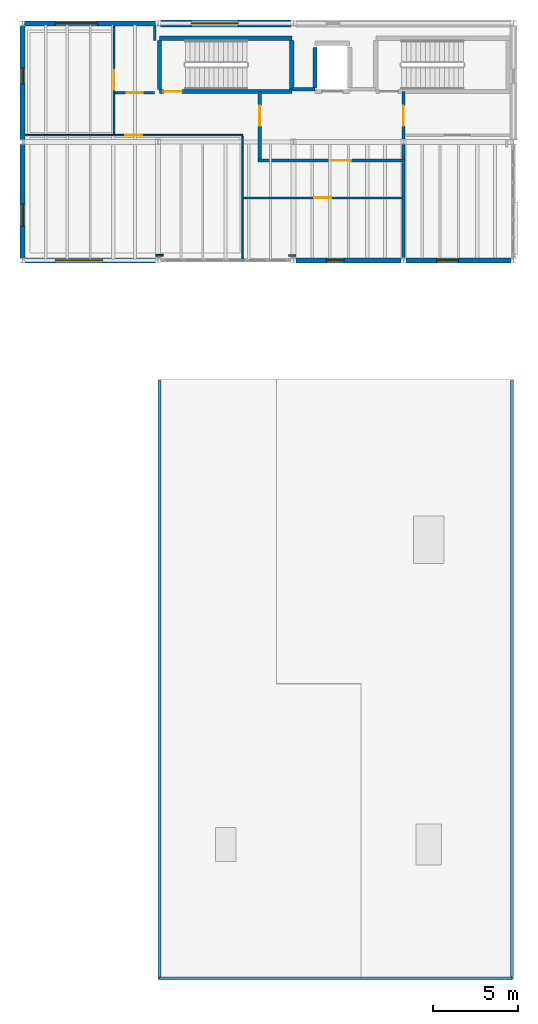
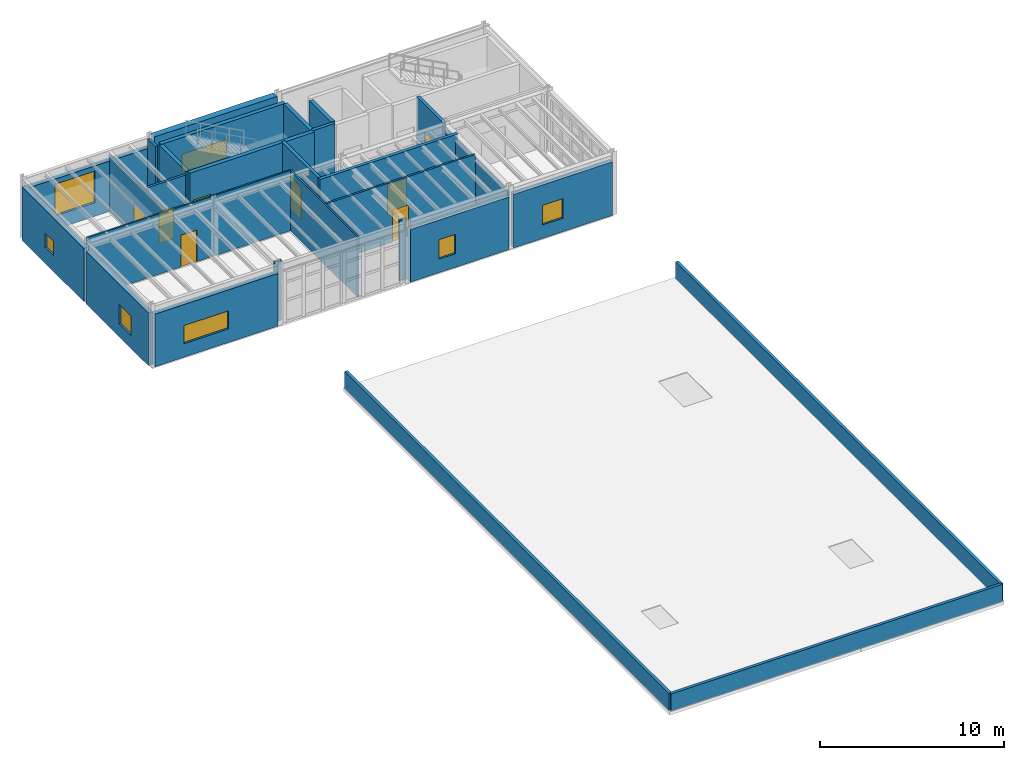
# One storey, part 8 of 11: 29 walls, 8 doors, 7 windows, 15 openings.
"""IFC4 building model written with IfcOpenShell, lengths in metres."""

from ifc_helpers import new_model, si_unit, direction, frame, frame_2d, origin, place, context, subcontext, project, spatial, rectangle, extrude, material, layer, layer_set, type_object, element, fill, save


model = new_model("IFC4")

# Units and contexts
model_context = context("Model", 3, precision=1e-05, world=origin(), true_north=direction((0.0, 1.0)))
body_context = subcontext(model_context, "Body", "Model", "MODEL_VIEW")
ifc_project = project(units=[si_unit("LENGTHUNIT", "METRE"), si_unit("AREAUNIT", "SQUARE_METRE"), si_unit("VOLUMEUNIT", "CUBIC_METRE"), si_unit("PLANEANGLEUNIT", "RADIAN"), si_unit("MASSUNIT", "GRAM", prefix="KILO"), si_unit("THERMODYNAMICTEMPERATUREUNIT", "KELVIN"), si_unit("POWERUNIT", "WATT")], contexts=[model_context])

# Site, building, storey
site_placement = place(None, origin())
site = spatial("IfcSite", under=ifc_project, at=site_placement, CompositionType="ELEMENT")
building_placement = place(site_placement, origin())
building = spatial("IfcBuilding", under=site, at=building_placement, Name="Zhenchuan Central Fire Station", CompositionType="ELEMENT")
storey_placement = place(building_placement, frame((0.0, 0.0, 18.449951171875)))
storey = spatial("IfcBuildingStorey", under=building, at=storey_placement, Name="L05", CompositionType="ELEMENT", Elevation=18.449951171875)

# Wall, opening, window
ifc_material_1 = material(Name="Sintered clay brick masonry MU15", Category="masonry")
ifc_layer_1 = layer(ifc_material_1, 0.300048828125, Name="Sintered clay brick masonry MU15", Category="masonry")
ifc_layer_set_1 = layer_set([ifc_layer_1], Name="Sintered clay brick masonry MU15")
wall_type_1 = type_object("IfcWallType", Name="EW-BRK300", PredefinedType="SOLIDWALL", material=ifc_layer_set_1)
wall_1_placement = place(storey_placement, frame((132.125, 56.5, 0.0), z_axis=(0.0, 0.0, 1.0), x_axis=(1.0, 0.0, 0.0)))
wall_1 = element("IfcWall", 1, at=wall_1_placement, inside=storey, type_object=wall_type_1, Name="EW-L05-V6N-0", PredefinedType="SOLIDWALL", context=body_context, shape_type="SweptSolid", body=[
    extrude(rectangle(XDim=7.72509765625, YDim=0.300048828125, at=frame_2d((3.862548828125, 0.0))), origin(), (0.0, 0.0, 1.0), 3.343994140625),
])
opening_1_placement = place(wall_1_placement, frame((1.800048828125, 0.0, 0.89990234375)))
opening_1 = element("IfcOpeningElement", 2, at=opening_1_placement, cuts=wall_1, Name="Opening W-37", PredefinedType="OPENING", context=body_context, shape_type="SweptSolid", body=[
    extrude(rectangle(XDim=2.5, YDim=2.10009765625, at=frame_2d((1.25, 1.050048828125))), frame((0.0, 0.159912109375, 0.0), z_axis=(0.0, -1.0, 0.0), x_axis=(1.0, 0.0, 0.0)), (0.0, 0.0, 1.0), 0.320068359375),
])
ifc_material_2 = material(Name="Laminated low-E double glazing in aluminium frame", Category="aluminium")
window_type_1 = type_object("IfcWindowType", Name="WN-37", PartitioningType="SINGLE_PANEL", PredefinedType="WINDOW", material=ifc_material_2)
window_1_placement = place(opening_1_placement, origin())
window_1 = element("IfcWindow", 3, at=window_1_placement, inside=storey, type_object=window_type_1, Name="Exterior Window 0129", OverallHeight=2.10009765625, OverallWidth=2.5, PartitioningType="SINGLE_PANEL", PredefinedType="WINDOW", context=body_context, shape_type="SweptSolid", body=[
    extrude(rectangle(XDim=2.5, YDim=2.10009765625, at=frame_2d((1.25, 1.050048828125))), frame((0.0, 0.030029296875, 0.0), z_axis=(0.0, -1.0, 0.0), x_axis=(1.0, 0.0, 0.0)), (0.0, 0.0, 1.0), 0.06005859375),
])
fill(opening_1, window_1)

wall_2_placement = place(storey_placement, frame((132.0, 42.625, 0.0), z_axis=(0.0, 0.0, 1.0), x_axis=(0.0, 1.0, 0.0)))
wall_2 = element("IfcWall", 4, at=wall_2_placement, inside=storey, type_object=wall_type_1, Name="EW-L05-V6W-0", PredefinedType="SOLIDWALL", context=body_context, shape_type="SweptSolid", body=[
    extrude(rectangle(XDim=6.75, YDim=0.300048828125, at=frame_2d((3.375, 0.0))), origin(), (0.0, 0.0, 1.0), 3.494140625),
])
opening_2_placement = place(wall_2_placement, frame((1.89990234375, 0.0, 0.85009765625)))
opening_2 = element("IfcOpeningElement", 5, at=opening_2_placement, cuts=wall_2, Name="Opening W-41", PredefinedType="OPENING", context=body_context, shape_type="SweptSolid", body=[
    extrude(rectangle(XDim=1.300048828125, YDim=1.300048828125, at=frame_2d((0.64990234375, 0.64990234375))), frame((0.0, 0.159912109375, 0.0), z_axis=(0.0, -1.0, 0.0), x_axis=(1.0, 0.0, 0.0)), (0.0, 0.0, 1.0), 0.320068359375),
])
window_type_2 = type_object("IfcWindowType", Name="WN-41", PartitioningType="SINGLE_PANEL", PredefinedType="WINDOW", material=ifc_material_2)
window_2_placement = place(opening_2_placement, origin())
window_2 = element("IfcWindow", 6, at=window_2_placement, inside=storey, type_object=window_type_2, Name="Exterior Window 0133", OverallHeight=1.300048828125, OverallWidth=1.300048828125, PartitioningType="SINGLE_PANEL", PredefinedType="WINDOW", context=body_context, shape_type="SweptSolid", body=[
    extrude(rectangle(XDim=1.300048828125, YDim=1.300048828125, at=frame_2d((0.64990234375, 0.64990234375))), frame((0.0, 0.030029296875, 0.0), z_axis=(0.0, -1.0, 0.0), x_axis=(1.0, 0.0, 0.0)), (0.0, 0.0, 1.0), 0.06005859375),
])
fill(opening_2, window_2)

wall_3_placement = place(storey_placement, frame((132.0, 49.625, 0.0), z_axis=(0.0, 0.0, 1.0), x_axis=(0.0, 1.0, 0.0)))
wall_3 = element("IfcWall", 7, at=wall_3_placement, inside=storey, type_object=wall_type_1, Name="EW-L05-V6W-1", PredefinedType="SOLIDWALL", context=body_context, shape_type="SweptSolid", body=[
    extrude(rectangle(XDim=6.75, YDim=0.300048828125, at=frame_2d((3.375, 0.0))), origin(), (0.0, 0.0, 1.0), 3.5439453125),
])
opening_3_placement = place(wall_3_placement, frame((3.300048828125, 0.0, 1.050048828125)))
opening_3 = element("IfcOpeningElement", 8, at=opening_3_placement, cuts=wall_3, Name="Opening W-04", PredefinedType="OPENING", context=body_context, shape_type="SweptSolid", body=[
    extrude(rectangle(XDim=0.949951171875, YDim=0.949951171875, at=frame_2d((0.47509765625, 0.47509765625))), frame((0.0, 0.159912109375, 0.0), z_axis=(0.0, -1.0, 0.0), x_axis=(1.0, 0.0, 0.0)), (0.0, 0.0, 1.0), 0.320068359375),
])
window_type_3 = type_object("IfcWindowType", Name="WN-04", PartitioningType="SINGLE_PANEL", PredefinedType="WINDOW", material=ifc_material_2)
window_3_placement = place(opening_3_placement, origin())
window_3 = element("IfcWindow", 9, at=window_3_placement, inside=storey, type_object=window_type_3, Name="Exterior Window 0134", OverallHeight=0.949951171875, OverallWidth=0.949951171875, PartitioningType="SINGLE_PANEL", PredefinedType="WINDOW", context=body_context, shape_type="SweptSolid", body=[
    extrude(rectangle(XDim=0.949951171875, YDim=0.949951171875, at=frame_2d((0.47509765625, 0.47509765625))), frame((0.0, 0.030029296875, 0.0), z_axis=(0.0, -1.0, 0.0), x_axis=(1.0, 0.0, 0.0)), (0.0, 0.0, 1.0), 0.06005859375),
])
fill(opening_3, window_3)

wall_4_placement = place(storey_placement, frame((132.125, 42.5, 0.0), z_axis=(0.0, 0.0, 1.0), x_axis=(1.0, 0.0, 0.0)))
wall_4 = element("IfcWall", 10, at=wall_4_placement, inside=storey, type_object=wall_type_1, Name="EW-L05-V6S-0", PredefinedType="SOLIDWALL", context=body_context, shape_type="SweptSolid", body=[
    extrude(rectangle(XDim=7.72509765625, YDim=0.300048828125, at=frame_2d((3.862548828125, 0.0))), origin(), (0.0, 0.0, 1.0), 3.494140625),
])
opening_4_placement = place(wall_4_placement, frame((1.800048828125, 0.0, 0.89990234375)))
opening_4 = element("IfcOpeningElement", 11, at=opening_4_placement, cuts=wall_4, Name="Opening W-38", PredefinedType="OPENING", context=body_context, shape_type="SweptSolid", body=[
    extrude(rectangle(XDim=2.800048828125, YDim=1.199951171875, at=frame_2d((1.39990234375, 0.60009765625))), frame((0.0, 0.159912109375, 0.0), z_axis=(0.0, -1.0, 0.0), x_axis=(1.0, 0.0, 0.0)), (0.0, 0.0, 1.0), 0.320068359375),
])
window_type_4 = type_object("IfcWindowType", Name="WN-38", PartitioningType="SINGLE_PANEL", PredefinedType="WINDOW", material=ifc_material_2)
window_4_placement = place(opening_4_placement, origin())
window_4 = element("IfcWindow", 12, at=window_4_placement, inside=storey, type_object=window_type_4, Name="Exterior Window 0135", OverallHeight=1.199951171875, OverallWidth=2.800048828125, PartitioningType="SINGLE_PANEL", PredefinedType="WINDOW", context=body_context, shape_type="SweptSolid", body=[
    extrude(rectangle(XDim=2.800048828125, YDim=1.199951171875, at=frame_2d((1.39990234375, 0.60009765625))), frame((0.0, 0.030029296875, 0.0), z_axis=(0.0, -1.0, 0.0), x_axis=(1.0, 0.0, 0.0)), (0.0, 0.0, 1.0), 0.06005859375),
])
fill(opening_4, window_4)

wall_5_placement = place(storey_placement, frame((148.14990234375, 42.5, 0.0), z_axis=(0.0, 0.0, 1.0), x_axis=(1.0, 0.0, 0.0)))
wall_5 = element("IfcWall", 13, at=wall_5_placement, inside=storey, type_object=wall_type_1, Name="EW-L05-V6S-2", PredefinedType="SOLIDWALL", context=body_context, shape_type="SweptSolid", body=[
    extrude(rectangle(XDim=6.2001953125, YDim=0.300048828125, at=frame_2d((3.10009765625, 0.0))), origin(), (0.0, 0.0, 1.0), 3.494140625),
])
opening_5_placement = place(wall_5_placement, frame((1.800048828125, 0.0, 0.89990234375)))
opening_5 = element("IfcOpeningElement", 14, at=opening_5_placement, cuts=wall_5, Name="Opening W-40", PredefinedType="OPENING", context=body_context, shape_type="SweptSolid", body=[
    extrude(rectangle(XDim=1.050048828125, YDim=1.300048828125, at=frame_2d((0.52490234375, 0.64990234375))), frame((0.0, 0.159912109375, 0.0), z_axis=(0.0, -1.0, 0.0), x_axis=(1.0, 0.0, 0.0)), (0.0, 0.0, 1.0), 0.320068359375),
])
window_type_5 = type_object("IfcWindowType", Name="WN-40", PartitioningType="SINGLE_PANEL", PredefinedType="WINDOW", material=ifc_material_2)
window_5_placement = place(opening_5_placement, origin())
window_5 = element("IfcWindow", 15, at=window_5_placement, inside=storey, type_object=window_type_5, Name="Exterior Window 0136", OverallHeight=1.300048828125, OverallWidth=1.050048828125, PartitioningType="SINGLE_PANEL", PredefinedType="WINDOW", context=body_context, shape_type="SweptSolid", body=[
    extrude(rectangle(XDim=1.050048828125, YDim=1.300048828125, at=frame_2d((0.52490234375, 0.64990234375))), frame((0.0, 0.030029296875, 0.0), z_axis=(0.0, -1.0, 0.0), x_axis=(1.0, 0.0, 0.0)), (0.0, 0.0, 1.0), 0.06005859375),
])
fill(opening_5, window_5)

wall_6_placement = place(storey_placement, frame((154.64990234375, 42.5, 0.0), z_axis=(0.0, 0.0, 1.0), x_axis=(1.0, 0.0, 0.0)))
wall_6 = element("IfcWall", 16, at=wall_6_placement, inside=storey, type_object=wall_type_1, Name="EW-L05-V6S-3", PredefinedType="SOLIDWALL", context=body_context, shape_type="SweptSolid", body=[
    extrude(rectangle(XDim=6.2001953125, YDim=0.300048828125, at=frame_2d((3.10009765625, 0.0))), origin(), (0.0, 0.0, 1.0), 3.553955078125),
])
opening_6_placement = place(wall_6_placement, frame((1.800048828125, 0.0, 0.89990234375)))
opening_6 = element("IfcOpeningElement", 17, at=opening_6_placement, cuts=wall_6, Name="Opening W-41", PredefinedType="OPENING", context=body_context, shape_type="SweptSolid", body=[
    extrude(rectangle(XDim=1.300048828125, YDim=1.300048828125, at=frame_2d((0.64990234375, 0.64990234375))), frame((0.0, 0.159912109375, 0.0), z_axis=(0.0, -1.0, 0.0), x_axis=(1.0, 0.0, 0.0)), (0.0, 0.0, 1.0), 0.320068359375),
])
window_6_placement = place(opening_6_placement, origin())
window_6 = element("IfcWindow", 18, at=window_6_placement, inside=storey, type_object=window_type_2, Name="Exterior Window 0137", OverallHeight=1.300048828125, OverallWidth=1.300048828125, PartitioningType="SINGLE_PANEL", PredefinedType="WINDOW", context=body_context, shape_type="SweptSolid", body=[
    extrude(rectangle(XDim=1.300048828125, YDim=1.300048828125, at=frame_2d((0.64990234375, 0.64990234375))), frame((0.0, 0.030029296875, 0.0), z_axis=(0.0, -1.0, 0.0), x_axis=(1.0, 0.0, 0.0)), (0.0, 0.0, 1.0), 0.06005859375),
])
fill(opening_6, window_6)

# Walls
ifc_material_3 = material(Name="Precast concrete C40/50", Category="concrete")
ifc_layer_2 = layer(ifc_material_3, 0.179931640625, Name="Precast concrete C40/50", Category="concrete")
ifc_layer_set_2 = layer_set([ifc_layer_2], Name="Precast concrete C40/50")
wall_type_2 = type_object("IfcWallType", Name="EW-PAR180", PredefinedType="PARAPET", material=ifc_layer_set_2)
wall_7_placement = place(storey_placement, frame((160.89990234375, 0.10009765625, 0.0), z_axis=(0.0, 0.0, 1.0), x_axis=(0.0, 1.0, 0.0)))
element("IfcWall", 19, at=wall_7_placement, inside=storey, type_object=wall_type_2, Name="PAR-L05-V2E", PredefinedType="PARAPET", context=body_context, shape_type="SweptSolid", body=[
    extrude(rectangle(XDim=35.2998046875, YDim=0.179931640625, at=frame_2d((17.64990234375, 0.0))), origin(), (0.0, 0.0, 1.0), 1.150146484375),
])
wall_8_placement = place(storey_placement, frame((140.10009765625, 0.10009765625, 0.0), z_axis=(0.0, 0.0, 1.0), x_axis=(1.0, 0.0, 0.0)))
element("IfcWall", 20, at=wall_8_placement, inside=storey, type_object=wall_type_2, Name="PAR-L05-V2S", PredefinedType="PARAPET", context=body_context, shape_type="SweptSolid", body=[
    extrude(rectangle(XDim=20.7998046875, YDim=0.179931640625, at=frame_2d((10.39990234375, 0.0))), origin(), (0.0, 0.0, 1.0), 1.150146484375),
])
wall_9_placement = place(storey_placement, frame((140.10009765625, 0.10009765625, 0.0), z_axis=(0.0, 0.0, 1.0), x_axis=(0.0, 1.0, 0.0)))
element("IfcWall", 21, at=wall_9_placement, inside=storey, type_object=wall_type_2, Name="PAR-L05-V2W", PredefinedType="PARAPET", context=body_context, shape_type="SweptSolid", body=[
    extrude(rectangle(XDim=35.2998046875, YDim=0.179931640625, at=frame_2d((17.64990234375, 0.0))), origin(), (0.0, 0.0, 1.0), 1.150146484375),
])

# Wall, opening, window
ifc_material_4 = material(Name="Concrete C40/50", Category="concrete")
ifc_layer_3 = layer(ifc_material_4, 0.39990234375, Name="Concrete C40/50", Category="concrete")
ifc_layer_set_3 = layer_set([ifc_layer_3], Name="Concrete C40/50")
wall_type_3 = type_object("IfcWallType", Name="EW-RC400", PredefinedType="SHEAR", material=ifc_layer_set_3)
wall_10_placement = place(storey_placement, frame((140.14990234375, 56.5, 0.0), z_axis=(0.0, 0.0, 1.0), x_axis=(1.0, 0.0, 0.0)))
wall_10 = element("IfcWall", 22, at=wall_10_placement, inside=storey, type_object=wall_type_3, Name="EW-L05-V6N-1", PredefinedType="SHEAR", context=body_context, shape_type="SweptSolid", body=[
    extrude(rectangle(XDim=7.7001953125, YDim=0.39990234375, at=frame_2d((3.85009765625, 0.0))), origin(), (0.0, 0.0, 1.0), 4.0),
])
opening_7_placement = place(wall_10_placement, frame((1.800048828125, 0.0, 0.89990234375)))
opening_7 = element("IfcOpeningElement", 23, at=opening_7_placement, cuts=wall_10, Name="Opening W-38", PredefinedType="OPENING", context=body_context, shape_type="SweptSolid", body=[
    extrude(rectangle(XDim=2.800048828125, YDim=1.199951171875, at=frame_2d((1.39990234375, 0.60009765625))), frame((0.0, 0.2099609375, 0.0), z_axis=(0.0, -1.0, 0.0), x_axis=(1.0, 0.0, 0.0)), (0.0, 0.0, 1.0), 0.419921875),
])
window_7_placement = place(opening_7_placement, origin())
window_7 = element("IfcWindow", 24, at=window_7_placement, inside=storey, type_object=window_type_4, Name="Exterior Window 0130", OverallHeight=1.199951171875, OverallWidth=2.800048828125, PartitioningType="SINGLE_PANEL", PredefinedType="WINDOW", context=body_context, shape_type="SweptSolid", body=[
    extrude(rectangle(XDim=2.800048828125, YDim=1.199951171875, at=frame_2d((1.39990234375, 0.60009765625))), frame((0.0, 0.030029296875, 0.0), z_axis=(0.0, -1.0, 0.0), x_axis=(1.0, 0.0, 0.0)), (0.0, 0.0, 1.0), 0.06005859375),
])
fill(opening_7, window_7)

# Wall
ifc_material_5 = material(Name="Autoclaved aerated concrete blockwork", Category="masonry")
ifc_layer_4 = layer(ifc_material_5, 0.14990234375, Name="Autoclaved aerated concrete blockwork", Category="masonry")
ifc_layer_set_4 = layer_set([ifc_layer_4], Name="Autoclaved aerated concrete blockwork")
wall_type_4 = type_object("IfcWallType", Name="IW-BLK150", PredefinedType="PARTITIONING", material=ifc_layer_set_4)
wall_11_placement = place(storey_placement, frame((154.5, 42.653076171875, 0.0), z_axis=(0.0, 0.0, 1.0), x_axis=(0.0, 1.0, 0.0)))
element("IfcWall", 25, at=wall_11_placement, inside=storey, type_object=wall_type_4, Name="Upper Hose Drying Workshop W Partition", PredefinedType="PARTITIONING", context=body_context, shape_type="SweptSolid", body=[
    extrude(rectangle(XDim=5.64404296875, YDim=0.14990234375, at=frame_2d((2.822021484375, 0.0))), origin(), (0.0, 0.0, 1.0), 3.60400390625),
])

# Wall, opening, door
wall_12_placement = place(storey_placement, frame((137.452880859375, 52.39990234375, 0.0), z_axis=(0.0, 0.0, 1.0), x_axis=(1.0, 0.0, 0.0)))
wall_12 = element("IfcWall", 26, at=wall_12_placement, inside=storey, type_object=wall_type_4, Name="Drill Tower Accessible WC L05 S Partition", PredefinedType="PARTITIONING", context=body_context, shape_type="SweptSolid", body=[
    extrude(rectangle(XDim=2.34716796875, YDim=0.14990234375, at=frame_2d((1.173583984375, 0.0))), origin(), (0.0, 0.0, 1.0), 4.0),
])
opening_8_placement = place(wall_12_placement, frame((0.71337890625, 0.0, 0.0)))
opening_8 = element("IfcOpeningElement", 27, at=opening_8_placement, cuts=wall_12, Name="Opening D-185", PredefinedType="OPENING", context=body_context, shape_type="SweptSolid", body=[
    extrude(rectangle(XDim=0.919921875, YDim=2.10009765625, at=frame_2d((0.4599609375, 1.050048828125))), frame((0.0, 0.0849609375, 0.0), z_axis=(0.0, -1.0, 0.0), x_axis=(1.0, 0.0, 0.0)), (0.0, 0.0, 1.0), 0.169921875),
])
ifc_material_6 = material(Name="Moisture-resistant accessible WC door")
door_type_1 = type_object("IfcDoorType", Name="ID-WC-092x210", OperationType="NOTDEFINED", PredefinedType="DOOR", material=ifc_material_6)
door_1_placement = place(opening_8_placement, origin())
door_1 = element("IfcDoor", 28, at=door_1_placement, inside=storey, type_object=door_type_1, Name="Drill Tower Accessible WC L05 Door", OperationType="SINGLE_SWING_LEFT", OverallHeight=2.10009765625, OverallWidth=0.919921875, PredefinedType="DOOR", context=body_context, shape_type="SweptSolid", body=[
    extrude(rectangle(XDim=0.919921875, YDim=2.10009765625, at=frame_2d((0.4599609375, 1.050048828125))), frame((0.0, 0.02490234375, 0.0), z_axis=(0.0, -1.0, 0.0), x_axis=(1.0, 0.0, 0.0)), (0.0, 0.0, 1.0), 0.050048828125),
])
fill(opening_8, door_1)

# Walls
wall_13_placement = place(storey_placement, frame((139.800048828125, 55.5029296875, 0.0), z_axis=(0.0, 0.0, 1.0), x_axis=(0.0, 1.0, 0.0)))
element("IfcWall", 29, at=wall_13_placement, inside=storey, type_object=wall_type_4, Name="Drill Tower Accessible WC L05 E Partition", PredefinedType="PARTITIONING", context=body_context, shape_type="SweptSolid", body=[
    extrude(rectangle(XDim=0.843994140625, YDim=0.14990234375, at=frame_2d((0.421875, 0.0))), origin(), (0.0, 0.0, 1.0), 4.0),
])
ifc_layer_5 = layer(ifc_material_5, 0.199951171875, Name="Autoclaved aerated concrete blockwork", Category="masonry")
ifc_layer_set_5 = layer_set([ifc_layer_5], Name="Autoclaved aerated concrete blockwork")
wall_type_5 = type_object("IfcWallType", Name="IW-FIR200", PredefinedType="PARTITIONING", material=ifc_layer_set_5)
wall_14_placement = place(storey_placement, frame((147.908935546875, 52.60009765625, 0.0), z_axis=(0.0, 0.0, 1.0), x_axis=(1.0, 0.0, 0.0)))
element("IfcWall", 30, at=wall_14_placement, inside=storey, type_object=wall_type_5, Name="L05 Firefighting Lobby North-West Infill Wall", PredefinedType="PARTITIONING", context=body_context, shape_type="SweptSolid", body=[
    extrude(rectangle(XDim=1.362060546875, YDim=0.199951171875, at=frame_2d((0.68115234375, 0.0))), origin(), (0.0, 0.0, 1.0), 4.0),
])

# Wall, opening, door
wall_15_placement = place(storey_placement, frame((145.89990234375, 48.39990234375, 0.0), z_axis=(0.0, 0.0, 1.0), x_axis=(1.0, 0.0, 0.0)))
wall_15 = element("IfcWall", 31, at=wall_15_placement, inside=storey, type_object=wall_type_5, Name="L05 Firefighting Lift Lobby South Wall", PredefinedType="PARTITIONING", context=body_context, shape_type="SweptSolid", body=[
    extrude(rectangle(XDim=8.7001953125, YDim=0.199951171875, at=frame_2d((4.35009765625, 0.0))), origin(), (0.0, 0.0, 1.0), 4.0),
])
opening_9_placement = place(wall_15_placement, frame((4.300048828125, 0.0, 0.0)))
opening_9 = element("IfcOpeningElement", 32, at=opening_9_placement, cuts=wall_15, Name="Opening D-060", PredefinedType="OPENING", context=body_context, shape_type="SweptSolid", body=[
    extrude(rectangle(XDim=1.199951171875, YDim=2.14990234375, at=frame_2d((0.60009765625, 1.074951171875))), frame((0.0, 0.10986328125, 0.0), z_axis=(0.0, -1.0, 0.0), x_axis=(1.0, 0.0, 0.0)), (0.0, 0.0, 1.0), 0.219970703125),
])
ifc_material_7 = material(Name="Smoke-sealed steel fire lobby door", Category="steel")
door_type_2 = type_object("IfcDoorType", Name="ID-FFL-120x215", OperationType="NOTDEFINED", PredefinedType="DOOR", material=ifc_material_7)
door_2_placement = place(opening_9_placement, origin())
door_2 = element("IfcDoor", 33, at=door_2_placement, inside=storey, type_object=door_type_2, Name="L05 Firefighting Lift Lobby South Door", OperationType="SINGLE_SWING_RIGHT", OverallHeight=2.14990234375, OverallWidth=1.199951171875, PredefinedType="DOOR", context=body_context, shape_type="SweptSolid", body=[
    extrude(rectangle(XDim=1.199951171875, YDim=2.14990234375, at=frame_2d((0.60009765625, 1.074951171875))), frame((0.0, 0.02490234375, 0.0), z_axis=(0.0, -1.0, 0.0), x_axis=(1.0, 0.0, 0.0)), (0.0, 0.0, 1.0), 0.050048828125),
])
fill(opening_9, door_2)

wall_16_placement = place(storey_placement, frame((146.0, 48.50390625, 0.0), z_axis=(0.0, 0.0, 1.0), x_axis=(0.0, 1.0, 0.0)))
wall_16 = element("IfcWall", 34, at=wall_16_placement, inside=storey, type_object=wall_type_5, Name="L05 Firefighting Lift Lobby West Wall", PredefinedType="PARTITIONING", context=body_context, shape_type="SweptSolid", body=[
    extrude(rectangle(XDim=3.967041015625, YDim=0.199951171875, at=frame_2d((1.9833984375, 0.0))), origin(), (0.0, 0.0, 1.0), 4.0),
])
opening_10_placement = place(wall_16_placement, frame((1.946044921875, 0.0, 0.0)))
opening_10 = element("IfcOpeningElement", 35, at=opening_10_placement, cuts=wall_16, Name="Opening D-061", PredefinedType="OPENING", context=body_context, shape_type="SweptSolid", body=[
    extrude(rectangle(XDim=1.199951171875, YDim=2.14990234375, at=frame_2d((0.60009765625, 1.074951171875))), frame((0.0, 0.10986328125, 0.0), z_axis=(0.0, -1.0, 0.0), x_axis=(1.0, 0.0, 0.0)), (0.0, 0.0, 1.0), 0.219970703125),
])
door_3_placement = place(opening_10_placement, origin())
door_3 = element("IfcDoor", 36, at=door_3_placement, inside=storey, type_object=door_type_2, Name="L05 Firefighting Lift Lobby West Door", OperationType="SINGLE_SWING_LEFT", OverallHeight=2.14990234375, OverallWidth=1.199951171875, PredefinedType="DOOR", context=body_context, shape_type="SweptSolid", body=[
    extrude(rectangle(XDim=1.199951171875, YDim=2.14990234375, at=frame_2d((0.60009765625, 1.074951171875))), frame((0.0, 0.02490234375, 0.0), z_axis=(0.0, -1.0, 0.0), x_axis=(1.0, 0.0, 0.0)), (0.0, 0.0, 1.0), 0.050048828125),
])
fill(opening_10, door_3)

# Wall
wall_17_placement = place(storey_placement, frame((154.5, 48.50390625, 0.0), z_axis=(0.0, 0.0, 1.0), x_axis=(0.0, 1.0, 0.0)))
element("IfcWall", 37, at=wall_17_placement, inside=storey, type_object=wall_type_5, Name="L05 Firefighting Lift Lobby South-East Pier Wall", PredefinedType="PARTITIONING", context=body_context, shape_type="SweptSolid", body=[
    extrude(rectangle(XDim=0.842041015625, YDim=0.199951171875, at=frame_2d((0.4208984375, 0.0))), origin(), (0.0, 0.0, 1.0), 3.60400390625),
])

# Wall, opening, door
wall_18_placement = place(storey_placement, frame((154.5, 49.654052734375, 0.0), z_axis=(0.0, 0.0, 1.0), x_axis=(0.0, 1.0, 0.0)))
wall_18 = element("IfcWall", 38, at=wall_18_placement, inside=storey, type_object=wall_type_5, Name="L05 Firefighting Lift Lobby East Wall", PredefinedType="PARTITIONING", context=body_context, shape_type="SweptSolid", body=[
    extrude(rectangle(XDim=2.81689453125, YDim=0.199951171875, at=frame_2d((1.408447265625, 0.0))), origin(), (0.0, 0.0, 1.0), 4.0),
])
opening_11_placement = place(wall_18_placement, frame((0.7958984375, 0.0, 0.0)))
opening_11 = element("IfcOpeningElement", 39, at=opening_11_placement, cuts=wall_18, Name="Opening D-062", PredefinedType="OPENING", context=body_context, shape_type="SweptSolid", body=[
    extrude(rectangle(XDim=1.199951171875, YDim=2.14990234375, at=frame_2d((0.60009765625, 1.074951171875))), frame((0.0, 0.10986328125, 0.0), z_axis=(0.0, -1.0, 0.0), x_axis=(1.0, 0.0, 0.0)), (0.0, 0.0, 1.0), 0.219970703125),
])
door_4_placement = place(opening_11_placement, origin())
door_4 = element("IfcDoor", 40, at=door_4_placement, inside=storey, type_object=door_type_2, Name="L05 Firefighting Lift Lobby East Door", OperationType="SINGLE_SWING_RIGHT", OverallHeight=2.14990234375, OverallWidth=1.199951171875, PredefinedType="DOOR", context=body_context, shape_type="SweptSolid", body=[
    extrude(rectangle(XDim=1.199951171875, YDim=2.14990234375, at=frame_2d((0.60009765625, 1.074951171875))), frame((0.0, 0.02490234375, 0.0), z_axis=(0.0, -1.0, 0.0), x_axis=(1.0, 0.0, 0.0)), (0.0, 0.0, 1.0), 0.050048828125),
])
fill(opening_11, door_4)

# Wall
ifc_material_8 = material(Name="Gypsum plasterboard on steel studs", Category="gypsum")
ifc_layer_6 = layer(ifc_material_8, 0.10009765625, Name="Gypsum plasterboard on steel studs", Category="gypsum")
ifc_layer_set_6 = layer_set([ifc_layer_6], Name="Gypsum plasterboard on steel studs")
wall_type_6 = type_object("IfcWallType", Name="IW-GYP100", PredefinedType="PARTITIONING", material=ifc_layer_set_6)
wall_19_placement = place(storey_placement, frame((139.85302734375, 42.800048828125, 0.0), z_axis=(0.0, 0.0, 1.0), x_axis=(1.0, 0.0, 0.0)))
element("IfcWall", 41, at=wall_19_placement, inside=storey, type_object=wall_type_6, Name="Rope Rescue Training Chamber S Partition", PredefinedType="PARTITIONING", context=body_context, shape_type="SweptSolid", body=[
    extrude(rectangle(XDim=0.444091796875, YDim=0.10009765625, at=frame_2d((0.22216796875, 0.0))), origin(), (0.0, 0.0, 1.0), 4.0),
])

# Wall, opening, door
wall_20_placement = place(storey_placement, frame((132.153076171875, 49.89990234375, 0.0), z_axis=(0.0, 0.0, 1.0), x_axis=(1.0, 0.0, 0.0)))
wall_20 = element("IfcWall", 42, at=wall_20_placement, inside=storey, type_object=wall_type_6, Name="Rope Rescue Training Chamber N Partition", PredefinedType="PARTITIONING", context=body_context, shape_type="SweptSolid", body=[
    extrude(rectangle(XDim=12.846923828125, YDim=0.10009765625, at=frame_2d((6.42333984375, 0.0))), origin(), (0.0, 0.0, 1.0), 4.0),
])
opening_12_placement = place(wall_20_placement, frame((5.923583984375, 0.0, 0.0)))
opening_12 = element("IfcOpeningElement", 43, at=opening_12_placement, cuts=wall_20, Name="Opening D-181", PredefinedType="OPENING", context=body_context, shape_type="SweptSolid", body=[
    extrude(rectangle(XDim=1.0, YDim=2.10009765625, at=frame_2d((0.5, 1.050048828125))), frame((0.0, 0.06005859375, 0.0), z_axis=(0.0, -1.0, 0.0), x_axis=(1.0, 0.0, 0.0)), (0.0, 0.0, 1.0), 0.1201171875),
])
ifc_material_9 = material(Name="Solid-core timber office door", Category="wood")
door_type_3 = type_object("IfcDoorType", Name="ID-OFF-100x210", OperationType="NOTDEFINED", PredefinedType="DOOR", material=ifc_material_9)
door_5_placement = place(opening_12_placement, origin())
door_5 = element("IfcDoor", 44, at=door_5_placement, inside=storey, type_object=door_type_3, Name="Rope Rescue Training Chamber Door", OperationType="SINGLE_SWING_LEFT", OverallHeight=2.10009765625, OverallWidth=1.0, PredefinedType="DOOR", context=body_context, shape_type="SweptSolid", body=[
    extrude(rectangle(XDim=1.0, YDim=2.10009765625, at=frame_2d((0.5, 1.050048828125))), frame((0.0, 0.02490234375, 0.0), z_axis=(0.0, -1.0, 0.0), x_axis=(1.0, 0.0, 0.0)), (0.0, 0.0, 1.0), 0.050048828125),
])
fill(opening_12, door_5)

# Wall
wall_21_placement = place(storey_placement, frame((145.0, 42.5830078125, 0.0), z_axis=(0.0, 0.0, 1.0), x_axis=(0.0, 1.0, 0.0)))
element("IfcWall", 45, at=wall_21_placement, inside=storey, type_object=wall_type_6, Name="Rope Rescue Training Chamber E Partition", PredefinedType="PARTITIONING", context=body_context, shape_type="SweptSolid", body=[
    extrude(rectangle(XDim=7.263916015625, YDim=0.10009765625, at=frame_2d((3.6318359375, 0.0))), origin(), (0.0, 0.0, 1.0), 4.0),
])

# Wall, opening, door
wall_22_placement = place(storey_placement, frame((137.39990234375, 49.952880859375, 0.0), z_axis=(0.0, 0.0, 1.0), x_axis=(0.0, 1.0, 0.0)))
wall_22 = element("IfcWall", 46, at=wall_22_placement, inside=storey, type_object=wall_type_6, Name="Drill Instructor Briefing Room E Partition", PredefinedType="PARTITIONING", context=body_context, shape_type="SweptSolid", body=[
    extrude(rectangle(XDim=6.39404296875, YDim=0.10009765625, at=frame_2d((3.197021484375, 0.0))), origin(), (0.0, 0.0, 1.0), 3.699951171875),
])
opening_13_placement = place(wall_22_placement, frame((2.6220703125, 0.0, 0.0)))
opening_13 = element("IfcOpeningElement", 47, at=opening_13_placement, cuts=wall_22, Name="Opening D-183", PredefinedType="OPENING", context=body_context, shape_type="SweptSolid", body=[
    extrude(rectangle(XDim=1.14990234375, YDim=2.10009765625, at=frame_2d((0.574951171875, 1.050048828125))), frame((0.0, 0.06005859375, 0.0), z_axis=(0.0, -1.0, 0.0), x_axis=(1.0, 0.0, 0.0)), (0.0, 0.0, 1.0), 0.1201171875),
])
ifc_material_10 = material(Name="Glazed vision-panel classroom door")
door_type_4 = type_object("IfcDoorType", Name="ID-CLS-115x210", OperationType="NOTDEFINED", PredefinedType="DOOR", material=ifc_material_10)
door_6_placement = place(opening_13_placement, origin())
door_6 = element("IfcDoor", 48, at=door_6_placement, inside=storey, type_object=door_type_4, Name="Drill Instructor Briefing Room Door", OperationType="SINGLE_SWING_LEFT", OverallHeight=2.10009765625, OverallWidth=1.14990234375, PredefinedType="DOOR", context=body_context, shape_type="SweptSolid", body=[
    extrude(rectangle(XDim=1.14990234375, YDim=2.10009765625, at=frame_2d((0.574951171875, 1.050048828125))), frame((0.0, 0.02490234375, 0.0), z_axis=(0.0, -1.0, 0.0), x_axis=(1.0, 0.0, 0.0)), (0.0, 0.0, 1.0), 0.050048828125),
])
fill(opening_13, door_6)

# Wall
ifc_layer_7 = layer(ifc_material_8, 0.1201171875, Name="Gypsum plasterboard on steel studs", Category="gypsum")
ifc_layer_set_7 = layer_set([ifc_layer_7], Name="Gypsum plasterboard on steel studs")
wall_type_7 = type_object("IfcWallType", Name="IW-GYP120", PredefinedType="PARTITIONING", material=ifc_layer_set_7)
wall_23_placement = place(storey_placement, frame((147.702880859375, 42.800048828125, 0.0), z_axis=(0.0, 0.0, 1.0), x_axis=(1.0, 0.0, 0.0)))
element("IfcWall", 49, at=wall_23_placement, inside=storey, type_object=wall_type_7, Name="Confined Search Chamber L05 S Partition", PredefinedType="PARTITIONING", context=body_context, shape_type="SweptSolid", body=[
    extrude(rectangle(XDim=0.444091796875, YDim=0.1201171875, at=frame_2d((0.22216796875, 0.0))), origin(), (0.0, 0.0, 1.0), 4.0),
])

# Wall, opening, door
wall_24_placement = place(storey_placement, frame((145.052978515625, 46.199951171875, 0.0), z_axis=(0.0, 0.0, 1.0), x_axis=(1.0, 0.0, 0.0)))
wall_24 = element("IfcWall", 50, at=wall_24_placement, inside=storey, type_object=wall_type_7, Name="Confined Search Chamber L05 N Partition", PredefinedType="PARTITIONING", context=body_context, shape_type="SweptSolid", body=[
    extrude(rectangle(XDim=9.369140625, YDim=0.1201171875, at=frame_2d((4.6845703125, 0.0))), origin(), (0.0, 0.0, 1.0), 4.0),
])
opening_14_placement = place(wall_24_placement, frame((4.1845703125, 0.0, 0.0)))
opening_14 = element("IfcOpeningElement", 51, at=opening_14_placement, cuts=wall_24, Name="Opening D-184", PredefinedType="OPENING", context=body_context, shape_type="SweptSolid", body=[
    extrude(rectangle(XDim=1.0, YDim=2.10009765625, at=frame_2d((0.5, 1.050048828125))), frame((0.0, 0.070068359375, 0.0), z_axis=(0.0, -1.0, 0.0), x_axis=(1.0, 0.0, 0.0)), (0.0, 0.0, 1.0), 0.14013671875),
])
door_7_placement = place(opening_14_placement, origin())
door_7 = element("IfcDoor", 52, at=door_7_placement, inside=storey, type_object=door_type_3, Name="Confined Search Chamber L05 Door", OperationType="SINGLE_SWING_RIGHT", OverallHeight=2.10009765625, OverallWidth=1.0, PredefinedType="DOOR", context=body_context, shape_type="SweptSolid", body=[
    extrude(rectangle(XDim=1.0, YDim=2.10009765625, at=frame_2d((0.5, 1.050048828125))), frame((0.0, 0.02490234375, 0.0), z_axis=(0.0, -1.0, 0.0), x_axis=(1.0, 0.0, 0.0)), (0.0, 0.0, 1.0), 0.050048828125),
])
fill(opening_14, door_7)

ifc_layer_8 = layer(ifc_material_4, 0.25, Name="Concrete C40/50", Category="concrete")
ifc_layer_set_8 = layer_set([ifc_layer_8], Name="Concrete C40/50")
wall_type_8 = type_object("IfcWallType", Name="IW-SHR250", PredefinedType="SHEAR", material=ifc_layer_set_8)
wall_25_placement = place(storey_placement, frame((140.094970703125, 52.47509765625, 0.0), z_axis=(0.0, 0.0, 1.0), x_axis=(1.0, 0.0, 0.0)))
wall_25 = element("IfcWall", 53, at=wall_25_placement, inside=storey, type_object=wall_type_8, Name="ST-12 L05 South Core Wall", PredefinedType="SHEAR", context=body_context, shape_type="SweptSolid", body=[
    extrude(rectangle(XDim=7.81005859375, YDim=0.25, at=frame_2d((3.905029296875, 0.0))), origin(), (0.0, 0.0, 1.0), 4.0),
])
opening_15_placement = place(wall_25_placement, frame((0.219970703125, 0.0, 0.0)))
opening_15 = element("IfcOpeningElement", 54, at=opening_15_placement, cuts=wall_25, Name="Opening D-034", PredefinedType="OPENING", context=body_context, shape_type="SweptSolid", body=[
    extrude(rectangle(XDim=1.10009765625, YDim=2.14990234375, at=frame_2d((0.550048828125, 1.074951171875))), frame((0.0, 0.135009765625, 0.0), z_axis=(0.0, -1.0, 0.0), x_axis=(1.0, 0.0, 0.0)), (0.0, 0.0, 1.0), 0.27001953125),
])
ifc_material_11 = material(Name="Painted steel acoustic fire door", Category="steel")
door_type_5 = type_object("IfcDoorType", Name="ID-ST-110x215", OperationType="NOTDEFINED", PredefinedType="DOOR", material=ifc_material_11)
door_8_placement = place(opening_15_placement, frame((1.10009765625, 0.0, 0.0), z_axis=(0.0, 0.0, 1.0), x_axis=(-1.0, 0.0, 0.0)))
door_8 = element("IfcDoor", 55, at=door_8_placement, inside=storey, type_object=door_type_5, Name="ST-12 L05 Fire Door", OperationType="SINGLE_SWING_RIGHT", OverallHeight=2.14990234375, OverallWidth=1.10009765625, PredefinedType="DOOR", context=body_context, shape_type="SweptSolid", body=[
    extrude(rectangle(XDim=1.10009765625, YDim=2.14990234375, at=frame_2d((0.550048828125, 1.074951171875))), frame((0.0, 0.02490234375, 0.0), z_axis=(0.0, -1.0, 0.0), x_axis=(1.0, 0.0, 0.0)), (0.0, 0.0, 1.0), 0.050048828125),
])
fill(opening_15, door_8)

# Walls
wall_26_placement = place(storey_placement, frame((140.094970703125, 55.625, 0.0), z_axis=(0.0, 0.0, 1.0), x_axis=(1.0, 0.0, 0.0)))
element("IfcWall", 56, at=wall_26_placement, inside=storey, type_object=wall_type_8, Name="ST-12 L05 North Core Wall", PredefinedType="SHEAR", context=body_context, shape_type="SweptSolid", body=[
    extrude(rectangle(XDim=7.81005859375, YDim=0.25, at=frame_2d((3.905029296875, 0.0))), origin(), (0.0, 0.0, 1.0), 4.0),
])
for number, where, z_axis, x_axis, name in (
    (57, (140.094970703125, 52.60009765625, 0.0), (0.0, 0.0, 1.0), (0.0, 1.0, 0.0), "ST-12 L05 West Core Wall"),
    (58, (147.905029296875, 52.60009765625, 0.0), (0.0, 0.0, 1.0), (0.0, 1.0, 0.0), "ST-12 L05 East Core Wall"),
):
    element("IfcWall", number, at=place(storey_placement, frame(where, z_axis=z_axis, x_axis=x_axis)), inside=storey, type_object=wall_type_8, Name=name, PredefinedType="SHEAR", context=body_context, shape_type="SweptSolid", body=[
        extrude(rectangle(XDim=2.89990234375, YDim=0.25, at=frame_2d((1.449951171875, 0.0))), origin(), (0.0, 0.0, 1.0), 4.0),
    ])
wall_27_placement = place(storey_placement, frame((149.27490234375, 52.72509765625, 0.0), z_axis=(0.0, 0.0, 1.0), x_axis=(0.0, 1.0, 0.0)))
element("IfcWall", 59, at=wall_27_placement, inside=storey, type_object=wall_type_8, Name="Lift FL-01 L05 West Shaft Wall", PredefinedType="SHEAR", context=body_context, shape_type="SweptSolid", body=[
    extrude(rectangle(XDim=2.349853515625, YDim=0.25, at=frame_2d((1.1748046875, 0.0))), origin(), (0.0, 0.0, 1.0), 4.0),
])

save(model, "model.ifc")
